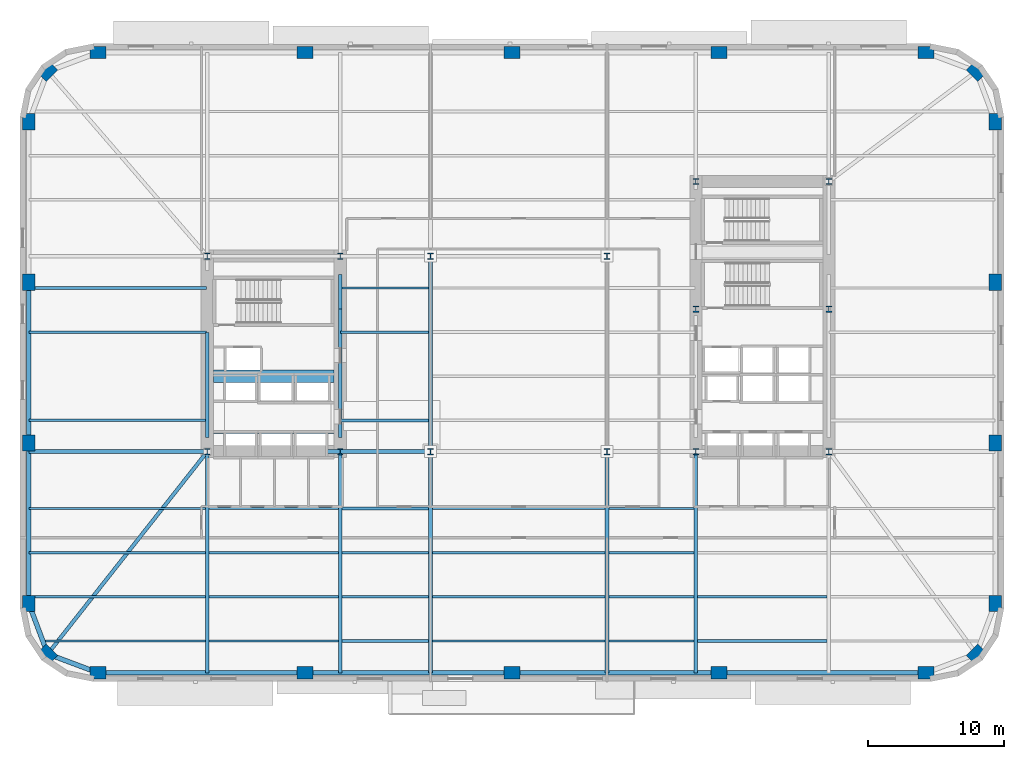
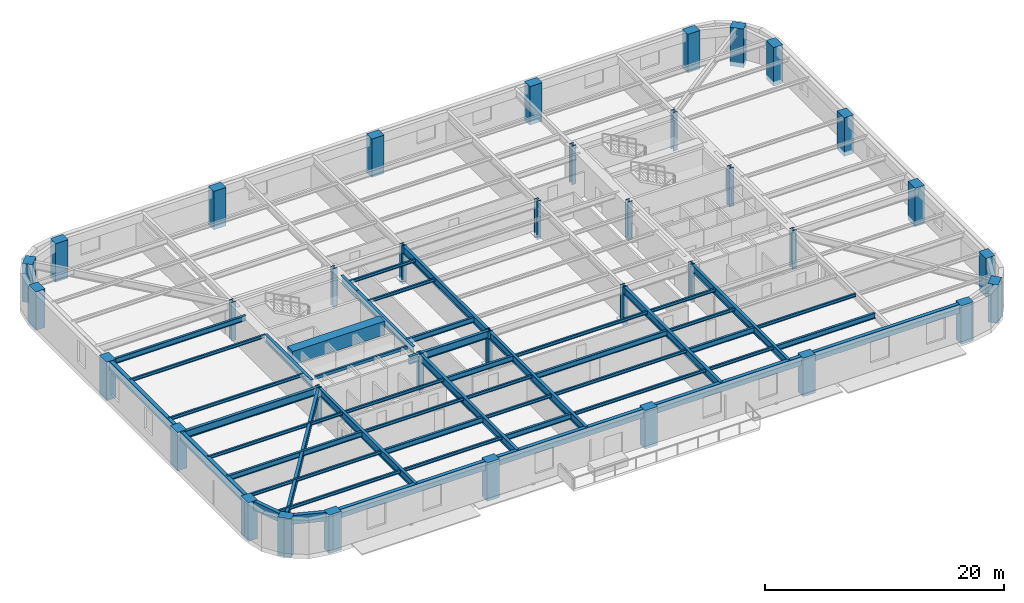
# One storey, part 1 of 15: 50 beams, 36 columns.
"""IFC4 building model written with IfcOpenShell, lengths in metres."""

from ifc_helpers import new_model, si_unit, direction, frame, origin, origin_2d, place, context, subcontext, project, spatial, rectangle, hollow_rectangle, i_section, extrude, material, material_profile, profile_set, type_object, element, save


model = new_model("IFC4")

# Units and contexts
model_context = context("Model", 3, precision=1e-05, world=origin(), true_north=direction((0.0, 1.0)))
body_context = subcontext(model_context, "Body", "Model", "MODEL_VIEW")
ifc_project = project(units=[si_unit("LENGTHUNIT", "METRE"), si_unit("AREAUNIT", "SQUARE_METRE"), si_unit("VOLUMEUNIT", "CUBIC_METRE"), si_unit("PLANEANGLEUNIT", "RADIAN"), si_unit("MASSUNIT", "GRAM", prefix="KILO")], contexts=[model_context])

# Site, building, storey
site_placement = place(None, origin())
site = spatial("IfcSite", under=ifc_project, at=site_placement, CompositionType="ELEMENT")
building_placement = place(site_placement, origin())
building = spatial("IfcBuilding", under=site, at=building_placement, Name="Kolvaren Arena Tower", CompositionType="ELEMENT")
storey_placement = place(building_placement, frame((0.0, 0.0, 42.0)))
storey = spatial("IfcBuildingStorey", under=building, at=storey_placement, Name="L07", CompositionType="ELEMENT", Elevation=42.0)

# Columns
ifc_material_1 = material(Name="Precast concrete C70/85", Category="concrete")
ifc_material_profile_1 = material_profile(ifc_material_1, rectangle(XDim=1.199951171875, YDim=0.89990234375, at=origin_2d()), Name="RC-1200x900")
ifc_profile_set_1 = profile_set([ifc_material_profile_1], Name="Precast concrete C70/85")
column_type_1 = type_object("IfcColumnType", Name="EXCOL-Z1", PredefinedType="COLUMN", material=ifc_profile_set_1)
for number, where, z_axis, x_axis, name in (
    (1, (6.5, 3.14990234375, -0.449951171875), (0.0, 0.0, 1.0), (1.0, 0.0, 0.0), "Exoskeleton Perimeter Column 01 (L07)"),
    (2, (21.75, 3.14990234375, -0.449951171875), (0.0, 0.0, 1.0), (1.0, 0.0, 0.0), "Exoskeleton Perimeter Column 02 (L07)"),
    (3, (37.0, 3.14990234375, -0.449951171875), (0.0, 0.0, 1.0), (1.0, 0.0, 0.0), "Exoskeleton Perimeter Column 03 (L07)"),
    (4, (52.25, 3.14990234375, -0.449951171875), (0.0, 0.0, 1.0), (1.0, 0.0, 0.0), "Exoskeleton Perimeter Column 04 (L07)"),
    (5, (67.5, 3.14990234375, -0.449951171875), (0.0, 0.0, 1.0), (1.0, 0.0, 0.0), "Exoskeleton Perimeter Column 05 (L07)"),
    (6, (71.208740234375, 4.541259765625, -0.449951171875), (0.0, 0.0, 1.0), (0.707106781187, 0.707106781187, 0.0), "Exoskeleton Perimeter Column 06 (L07)"),
    (7, (72.60009765625, 8.25, -0.449951171875), (0.0, 0.0, 1.0), (0.0, 1.0, 0.0), "Exoskeleton Perimeter Column 07 (L07)"),
    (8, (72.60009765625, 20.083251953125, -0.449951171875), (0.0, 0.0, 1.0), (0.0, 1.0, 0.0), "Exoskeleton Perimeter Column 08 (L07)"),
    (9, (72.60009765625, 31.916748046875, -0.449951171875), (0.0, 0.0, 1.0), (0.0, 1.0, 0.0), "Exoskeleton Perimeter Column 09 (L07)"),
    (10, (72.60009765625, 43.75, -0.449951171875), (0.0, 0.0, 1.0), (0.0, 1.0, 0.0), "Exoskeleton Perimeter Column 10 (L07)"),
    (11, (71.208740234375, 47.458740234375, -0.449951171875), (0.0, 0.0, 1.0), (-0.707106781187, 0.707106781187, 0.0), "Exoskeleton Perimeter Column 11 (L07)"),
    (12, (67.5, 48.85009765625, -0.449951171875), (0.0, 0.0, 1.0), (1.0, 0.0, 0.0), "Exoskeleton Perimeter Column 12 (L07)"),
    (13, (52.25, 48.85009765625, -0.449951171875), (0.0, 0.0, 1.0), (1.0, 0.0, 0.0), "Exoskeleton Perimeter Column 13 (L07)"),
    (14, (37.0, 48.85009765625, -0.449951171875), (0.0, 0.0, 1.0), (1.0, 0.0, 0.0), "Exoskeleton Perimeter Column 14 (L07)"),
    (15, (21.75, 48.85009765625, -0.449951171875), (0.0, 0.0, 1.0), (1.0, 0.0, 0.0), "Exoskeleton Perimeter Column 15 (L07)"),
    (16, (6.5, 48.85009765625, -0.449951171875), (0.0, 0.0, 1.0), (1.0, 0.0, 0.0), "Exoskeleton Perimeter Column 16 (L07)"),
    (17, (2.791259765625, 47.458740234375, -0.449951171875), (0.0, 0.0, 1.0), (0.707106781187, 0.707106781187, 0.0), "Exoskeleton Perimeter Column 17 (L07)"),
    (18, (1.39990234375, 43.75, -0.449951171875), (0.0, 0.0, 1.0), (0.0, 1.0, 0.0), "Exoskeleton Perimeter Column 18 (L07)"),
    (19, (1.39990234375, 31.916748046875, -0.449951171875), (0.0, 0.0, 1.0), (0.0, 1.0, 0.0), "Exoskeleton Perimeter Column 19 (L07)"),
    (20, (1.39990234375, 20.083251953125, -0.449951171875), (0.0, 0.0, 1.0), (0.0, 1.0, 0.0), "Exoskeleton Perimeter Column 20 (L07)"),
    (21, (1.39990234375, 8.25, -0.449951171875), (0.0, 0.0, 1.0), (0.0, 1.0, 0.0), "Exoskeleton Perimeter Column 21 (L07)"),
    (22, (2.791259765625, 4.541259765625, -0.449951171875), (0.0, 0.0, 1.0), (-0.707106781187, 0.707106781187, 0.0), "Exoskeleton Perimeter Column 22 (L07)"),
):
    element("IfcColumn", number, at=place(storey_placement, frame(where, z_axis=z_axis, x_axis=x_axis)), inside=storey, type_object=column_type_1, Name=name, PredefinedType="COLUMN", context=body_context, shape_type="SweptSolid", body=[
        extrude(rectangle(XDim=1.199951171875, YDim=0.89990234375, at=origin_2d()), origin(), (0.0, 0.0, 1.0), 3.929931640625),
    ])
ifc_material_2 = material(Name="Steel ASTM A913 Grade 65", Category="steel")
ifc_material_profile_2 = material_profile(ifc_material_2, i_section(OverallWidth=0.424072265625, OverallDepth=0.47412109375, WebThickness=0.047607421875, FlangeThickness=0.076904296875, FilletRadius=0.02001953125, at=origin_2d()), Name="W360x634")
ifc_profile_set_2 = profile_set([ifc_material_profile_2], Name="Steel ASTM A913 Grade 65")
column_type_2 = type_object("IfcColumnType", Name="SCOL-Z1", PredefinedType="COLUMN", material=ifc_profile_set_2)
for number, where, z_axis, x_axis, name in (
    (23, (14.550048828125, 19.449951171875, -0.449951171875), (0.0, 0.0, 1.0), (1.0, 0.0, 0.0), "Core Boundary Column WC-SW (L07)"),
    (24, (24.35009765625, 19.449951171875, -0.449951171875), (0.0, 0.0, 1.0), (1.0, 0.0, 0.0), "Core Boundary Column WC-SE (L07)"),
    (25, (14.550048828125, 33.85009765625, -0.449951171875), (0.0, 0.0, 1.0), (1.0, 0.0, 0.0), "Core Boundary Column WC-NW (L07)"),
    (26, (24.35009765625, 33.85009765625, -0.449951171875), (0.0, 0.0, 1.0), (1.0, 0.0, 0.0), "Core Boundary Column WC-NE (L07)"),
    (27, (50.550048828125, 19.449951171875, -0.449951171875), (0.0, 0.0, 1.0), (1.0, 0.0, 0.0), "Core Boundary Column EC-SW (L07)"),
    (28, (60.35009765625, 19.449951171875, -0.449951171875), (0.0, 0.0, 1.0), (1.0, 0.0, 0.0), "Core Boundary Column EC-SE (L07)"),
    (29, (50.550048828125, 29.949951171875, -0.449951171875), (0.0, 0.0, 1.0), (1.0, 0.0, 0.0), "Core Boundary Column EC-MW (L07)"),
    (30, (60.35009765625, 29.949951171875, -0.449951171875), (0.0, 0.0, 1.0), (1.0, 0.0, 0.0), "Core Boundary Column EC-ME (L07)"),
    (31, (50.550048828125, 39.35009765625, -0.449951171875), (0.0, 0.0, 1.0), (1.0, 0.0, 0.0), "Core Boundary Column EC-NW (L07)"),
    (32, (60.35009765625, 39.35009765625, -0.449951171875), (0.0, 0.0, 1.0), (1.0, 0.0, 0.0), "Core Boundary Column EC-NE (L07)"),
    (33, (31.0, 19.449951171875, -0.449951171875), (0.0, 0.0, 1.0), (1.0, 0.0, 0.0), "Interior Gravity Column TC-SW (L07)"),
    (34, (44.0, 19.449951171875, -0.449951171875), (0.0, 0.0, 1.0), (1.0, 0.0, 0.0), "Interior Gravity Column TC-SE (L07)"),
    (35, (31.0, 33.85009765625, -0.449951171875), (0.0, 0.0, 1.0), (1.0, 0.0, 0.0), "Interior Gravity Column TC-NW (L07)"),
    (36, (44.0, 33.85009765625, -0.449951171875), (0.0, 0.0, 1.0), (1.0, 0.0, 0.0), "Interior Gravity Column TC-NE (L07)"),
):
    element("IfcColumn", number, at=place(storey_placement, frame(where, z_axis=z_axis, x_axis=x_axis)), inside=storey, type_object=column_type_2, Name=name, PredefinedType="COLUMN", context=body_context, shape_type="SweptSolid", body=[
        extrude(i_section(OverallWidth=0.424072265625, OverallDepth=0.47412109375, WebThickness=0.047607421875, FlangeThickness=0.076904296875, FilletRadius=0.02001953125, at=origin_2d()), origin(), (0.0, 0.0, 1.0), 3.929931640625),
    ])

# Beams
ifc_material_3 = material(Name="Steel CSA G40.21 350W", Category="steel")
ifc_material_profile_3 = material_profile(ifc_material_3, i_section(OverallWidth=0.2119140625, OverallDepth=0.54296875, WebThickness=0.01318359375, FlangeThickness=0.0244140625, FilletRadius=0.013916015625, at=origin_2d()), Name="W530x150")
ifc_profile_set_3 = profile_set([ifc_material_profile_3], Name="Steel CSA G40.21 350W")
beam_type_1 = type_object("IfcBeamType", Name="BEAM-F1", PredefinedType="BEAM", material=ifc_profile_set_3)
beam_1_placement = place(storey_placement, frame((24.485107421875, 5.5, 3.20849609375), z_axis=(1.0, 0.0, 0.0), x_axis=(0.0, 1.0, 0.0)))
element("IfcBeam", 37, at=beam_1_placement, inside=storey, type_object=beam_type_1, Name="Composite Floor Beam (L07)", PredefinedType="BEAM", context=body_context, shape_type="SweptSolid", body=[
    extrude(i_section(OverallWidth=0.2119140625, OverallDepth=0.54296875, WebThickness=0.01318359375, FlangeThickness=0.0244140625, FilletRadius=0.013916015625, at=origin_2d()), origin(), (0.0, 0.0, 1.0), 6.3798828125),
])
for number, where, z_axis, x_axis, name in (
    (38, (50.68505859375, 5.5, 3.20849609375), (1.0, 0.0, 0.0), (0.0, 1.0, 0.0), "Composite Floor Beam (L07)"),
    (39, (14.68505859375, 8.75, 3.20849609375), (1.0, 0.0, 0.0), (0.0, 1.0, 0.0), "Composite Floor Beam (L07)"),
):
    element("IfcBeam", number, at=place(storey_placement, frame(where, z_axis=z_axis, x_axis=x_axis)), inside=storey, type_object=beam_type_1, Name=name, PredefinedType="BEAM", context=body_context, shape_type="SweptSolid", body=[
        extrude(i_section(OverallWidth=0.2119140625, OverallDepth=0.54296875, WebThickness=0.01318359375, FlangeThickness=0.0244140625, FilletRadius=0.013916015625, at=origin_2d()), origin(), (0.0, 0.0, 1.0), 9.530029296875),
    ])
beam_2_placement = place(storey_placement, frame((44.135009765625, 8.75, 3.20849609375), z_axis=(1.0, 0.0, 0.0), x_axis=(0.0, 1.0, 0.0)))
element("IfcBeam", 40, at=beam_2_placement, inside=storey, type_object=beam_type_1, Name="Composite Floor Beam (L07)", PredefinedType="BEAM", context=body_context, shape_type="SweptSolid", body=[
    extrude(i_section(OverallWidth=0.2119140625, OverallDepth=0.54296875, WebThickness=0.01318359375, FlangeThickness=0.0244140625, FilletRadius=0.013916015625, at=origin_2d()), origin(), (0.0, 0.0, 1.0), 6.280029296875),
])
beam_3_placement = place(storey_placement, frame((1.39990234375, 12.0, 3.20849609375), z_axis=(1.0, 0.0, 0.0), x_axis=(0.0, 1.0, 0.0)))
element("IfcBeam", 41, at=beam_3_placement, inside=storey, type_object=beam_type_1, Name="Composite Floor Beam (L07)", PredefinedType="BEAM", context=body_context, shape_type="SweptSolid", body=[
    extrude(i_section(OverallWidth=0.2119140625, OverallDepth=0.54296875, WebThickness=0.01318359375, FlangeThickness=0.0244140625, FilletRadius=0.013916015625, at=origin_2d()), origin(), (0.0, 0.0, 1.0), 13.01513671875),
])
beam_4_placement = place(storey_placement, frame((31.135009765625, 12.0, 3.20849609375), z_axis=(1.0, 0.0, 0.0), x_axis=(0.0, 1.0, 0.0)))
element("IfcBeam", 42, at=beam_4_placement, inside=storey, type_object=beam_type_1, Name="Composite Floor Beam (L07)", PredefinedType="BEAM", context=body_context, shape_type="SweptSolid", body=[
    extrude(i_section(OverallWidth=0.2119140625, OverallDepth=0.54296875, WebThickness=0.01318359375, FlangeThickness=0.0244140625, FilletRadius=0.013916015625, at=origin_2d()), origin(), (0.0, 0.0, 1.0), 12.72998046875),
])
beam_5_placement = place(storey_placement, frame((24.485107421875, 15.25, 3.20849609375), z_axis=(1.0, 0.0, 0.0), x_axis=(0.0, 1.0, 0.0)))
element("IfcBeam", 43, at=beam_5_placement, inside=storey, type_object=beam_type_1, Name="Composite Floor Beam (L07)", PredefinedType="BEAM", context=body_context, shape_type="SweptSolid", body=[
    extrude(i_section(OverallWidth=0.2119140625, OverallDepth=0.54296875, WebThickness=0.01318359375, FlangeThickness=0.0244140625, FilletRadius=0.013916015625, at=origin_2d()), origin(), (0.0, 0.0, 1.0), 6.3798828125),
])
beam_6_placement = place(storey_placement, frame((24.3701171875, 21.75, 3.20849609375), z_axis=(1.0, 0.0, 0.0), x_axis=(0.0, 1.0, 0.0)))
element("IfcBeam", 44, at=beam_6_placement, inside=storey, type_object=beam_type_1, Name="Composite Floor Beam (L07)", PredefinedType="BEAM", context=body_context, shape_type="SweptSolid", body=[
    extrude(i_section(OverallWidth=0.2119140625, OverallDepth=0.54296875, WebThickness=0.01318359375, FlangeThickness=0.0244140625, FilletRadius=0.013916015625, at=origin_2d()), origin(), (0.0, 0.0, 1.0), 6.494873046875),
])
beam_7_placement = place(storey_placement, frame((1.39990234375, 31.5, 3.20849609375), z_axis=(1.0, 0.0, 0.0), x_axis=(0.0, 1.0, 0.0)))
element("IfcBeam", 45, at=beam_7_placement, inside=storey, type_object=beam_type_1, Name="Composite Floor Beam (L07)", PredefinedType="BEAM", context=body_context, shape_type="SweptSolid", body=[
    extrude(i_section(OverallWidth=0.2119140625, OverallDepth=0.54296875, WebThickness=0.01318359375, FlangeThickness=0.0244140625, FilletRadius=0.013916015625, at=origin_2d()), origin(), (0.0, 0.0, 1.0), 13.080078125),
])
ifc_material_4 = material(Name="Concrete 75 MPa", Category="concrete")
ifc_material_profile_4 = material_profile(ifc_material_4, rectangle(XDim=0.89990234375, YDim=1.39990234375, at=origin_2d()), Name="RC-900x1400")
ifc_profile_set_4 = profile_set([ifc_material_profile_4], Name="Concrete 75 MPa")
beam_type_2 = type_object("IfcBeamType", Name="CB-CORE-1", PredefinedType="BEAM", material=ifc_profile_set_4)
beam_8_placement = place(storey_placement, frame((15.0, 25.0, 3.050048828125), z_axis=(1.0, 0.0, 0.0), x_axis=(0.0, 1.0, 0.0)))
element("IfcBeam", 46, at=beam_8_placement, inside=storey, type_object=beam_type_2, Name="West Core Coupling Beam (L07)", PredefinedType="BEAM", context=body_context, shape_type="SweptSolid", body=[
    extrude(rectangle(XDim=0.89990234375, YDim=1.39990234375, at=origin_2d()), origin(), (0.0, 0.0, 1.0), 8.89990234375),
])
ifc_material_profile_5 = material_profile(ifc_material_3, i_section(OverallWidth=0.27001953125, OverallDepth=0.77294921875, WebThickness=0.019287109375, FlangeThickness=0.033447265625, FilletRadius=0.01806640625, at=origin_2d()), Name="W760x257")
ifc_profile_set_5 = profile_set([ifc_material_profile_5], Name="Steel CSA G40.21 350W")
beam_type_3 = type_object("IfcBeamType", Name="GIRD-T1", PredefinedType="BEAM", material=ifc_profile_set_5)
beam_9_placement = place(storey_placement, frame((2.791259765625, 4.541259765625, 3.093505859375), z_axis=(0.61927986086, 0.785170334343, 0.0), x_axis=(-0.785170334343, 0.61927986086, 0.0)))
element("IfcBeam", 47, at=beam_9_placement, inside=storey, type_object=beam_type_3, Name="Corner Diagonal Tie Girder (L07)", PredefinedType="BEAM", context=body_context, shape_type="SweptSolid", body=[
    extrude(i_section(OverallWidth=0.27001953125, OverallDepth=0.77294921875, WebThickness=0.019287109375, FlangeThickness=0.033447265625, FilletRadius=0.01806640625, at=origin_2d()), origin(), (0.0, 0.0, 1.0), 18.98779296875),
])
beam_10_placement = place(storey_placement, frame((1.39990234375, 19.449951171875, 3.093505859375), z_axis=(1.0, 0.0, 0.0), x_axis=(0.0, 1.0, 0.0)))
element("IfcBeam", 48, at=beam_10_placement, inside=storey, type_object=beam_type_3, Name="Primary Floor Girder (L07)", PredefinedType="BEAM", context=body_context, shape_type="SweptSolid", body=[
    extrude(i_section(OverallWidth=0.27001953125, OverallDepth=0.77294921875, WebThickness=0.019287109375, FlangeThickness=0.033447265625, FilletRadius=0.01806640625, at=origin_2d()), origin(), (0.0, 0.0, 1.0), 13.150146484375),
])
beam_11_placement = place(storey_placement, frame((23.2451171875, 19.449951171875, 3.093505859375), z_axis=(1.0, 0.0, 0.0), x_axis=(0.0, 1.0, 0.0)))
element("IfcBeam", 49, at=beam_11_placement, inside=storey, type_object=beam_type_3, Name="Primary Floor Girder (L07)", PredefinedType="BEAM", context=body_context, shape_type="SweptSolid", body=[
    extrude(i_section(OverallWidth=0.27001953125, OverallDepth=0.77294921875, WebThickness=0.019287109375, FlangeThickness=0.033447265625, FilletRadius=0.01806640625, at=origin_2d()), origin(), (0.0, 0.0, 1.0), 7.7548828125),
])
beam_12_placement = place(storey_placement, frame((14.550048828125, 3.14990234375, 3.093505859375), z_axis=(0.0, 1.0, 0.0), x_axis=(-1.0, 0.0, 0.0)))
element("IfcBeam", 50, at=beam_12_placement, inside=storey, type_object=beam_type_3, Name="Primary Floor Girder (L07)", PredefinedType="BEAM", context=body_context, shape_type="SweptSolid", body=[
    extrude(i_section(OverallWidth=0.27001953125, OverallDepth=0.77294921875, WebThickness=0.019287109375, FlangeThickness=0.033447265625, FilletRadius=0.01806640625, at=origin_2d()), origin(), (0.0, 0.0, 1.0), 16.300048828125),
])
beam_13_placement = place(storey_placement, frame((14.550048828125, 20.5, 3.093505859375), z_axis=(0.0, 1.0, 0.0), x_axis=(-1.0, 0.0, 0.0)))
element("IfcBeam", 51, at=beam_13_placement, inside=storey, type_object=beam_type_3, Name="Primary Floor Girder (L07)", PredefinedType="BEAM", context=body_context, shape_type="SweptSolid", body=[
    extrude(i_section(OverallWidth=0.27001953125, OverallDepth=0.77294921875, WebThickness=0.019287109375, FlangeThickness=0.033447265625, FilletRadius=0.01806640625, at=origin_2d()), origin(), (0.0, 0.0, 1.0), 7.739990234375),
])
beam_14_placement = place(storey_placement, frame((24.35009765625, 3.14990234375, 3.093505859375), z_axis=(0.0, 1.0, 0.0), x_axis=(-1.0, 0.0, 0.0)))
element("IfcBeam", 52, at=beam_14_placement, inside=storey, type_object=beam_type_3, Name="Primary Floor Girder (L07)", PredefinedType="BEAM", context=body_context, shape_type="SweptSolid", body=[
    extrude(i_section(OverallWidth=0.27001953125, OverallDepth=0.77294921875, WebThickness=0.019287109375, FlangeThickness=0.033447265625, FilletRadius=0.01806640625, at=origin_2d()), origin(), (0.0, 0.0, 1.0), 16.300048828125),
])
beam_15_placement = place(storey_placement, frame((24.35009765625, 20.5, 3.093505859375), z_axis=(0.0, 1.0, 0.0), x_axis=(-1.0, 0.0, 0.0)))
element("IfcBeam", 53, at=beam_15_placement, inside=storey, type_object=beam_type_3, Name="Primary Floor Girder (L07)", PredefinedType="BEAM", context=body_context, shape_type="SweptSolid", body=[
    extrude(i_section(OverallWidth=0.27001953125, OverallDepth=0.77294921875, WebThickness=0.019287109375, FlangeThickness=0.033447265625, FilletRadius=0.01806640625, at=origin_2d()), origin(), (0.0, 0.0, 1.0), 9.449951171875),
])
beam_16_placement = place(storey_placement, frame((24.35009765625, 29.949951171875, 3.093505859375), z_axis=(0.0, 1.0, 0.0), x_axis=(-1.0, 0.0, 0.0)))
element("IfcBeam", 54, at=beam_16_placement, inside=storey, type_object=beam_type_3, Name="Primary Floor Girder (L07)", PredefinedType="BEAM", context=body_context, shape_type="SweptSolid", body=[
    extrude(i_section(OverallWidth=0.27001953125, OverallDepth=0.77294921875, WebThickness=0.019287109375, FlangeThickness=0.033447265625, FilletRadius=0.01806640625, at=origin_2d()), origin(), (0.0, 0.0, 1.0), 2.550048828125),
])
beam_17_placement = place(storey_placement, frame((31.0, 3.14990234375, 3.093505859375), z_axis=(0.0, 1.0, 0.0), x_axis=(-1.0, 0.0, 0.0)))
element("IfcBeam", 55, at=beam_17_placement, inside=storey, type_object=beam_type_3, Name="Primary Floor Girder (L07)", PredefinedType="BEAM", context=body_context, shape_type="SweptSolid", body=[
    extrude(i_section(OverallWidth=0.27001953125, OverallDepth=0.77294921875, WebThickness=0.019287109375, FlangeThickness=0.033447265625, FilletRadius=0.01806640625, at=origin_2d()), origin(), (0.0, 0.0, 1.0), 16.300048828125),
])
beam_18_placement = place(storey_placement, frame((31.0, 19.449951171875, 3.093505859375), z_axis=(0.0, 1.0, 0.0), x_axis=(-1.0, 0.0, 0.0)))
element("IfcBeam", 56, at=beam_18_placement, inside=storey, type_object=beam_type_3, Name="Primary Floor Girder (L07)", PredefinedType="BEAM", context=body_context, shape_type="SweptSolid", body=[
    extrude(i_section(OverallWidth=0.27001953125, OverallDepth=0.77294921875, WebThickness=0.019287109375, FlangeThickness=0.033447265625, FilletRadius=0.01806640625, at=origin_2d()), origin(), (0.0, 0.0, 1.0), 14.400146484375),
])
for number, where, z_axis, x_axis, name in (
    (57, (44.0, 3.14990234375, 3.093505859375), (0.0, 1.0, 0.0), (-1.0, 0.0, 0.0), "Primary Floor Girder (L07)"),
    (58, (50.550048828125, 3.14990234375, 3.093505859375), (0.0, 1.0, 0.0), (-1.0, 0.0, 0.0), "Primary Floor Girder (L07)"),
):
    element("IfcBeam", number, at=place(storey_placement, frame(where, z_axis=z_axis, x_axis=x_axis)), inside=storey, type_object=beam_type_3, Name=name, PredefinedType="BEAM", context=body_context, shape_type="SweptSolid", body=[
        extrude(i_section(OverallWidth=0.27001953125, OverallDepth=0.77294921875, WebThickness=0.019287109375, FlangeThickness=0.033447265625, FilletRadius=0.01806640625, at=origin_2d()), origin(), (0.0, 0.0, 1.0), 16.300048828125),
    ])
ifc_material_profile_6 = material_profile(ifc_material_3, i_section(OverallWidth=0.1669921875, OverallDepth=0.31689453125, WebThickness=0.007568359375, FlangeThickness=0.01318359375, FilletRadius=0.010009765625, at=origin_2d()), Name="W310x52")
ifc_profile_set_6 = profile_set([ifc_material_profile_6], Name="Steel CSA G40.21 350W")
beam_type_4 = type_object("IfcBeamType", Name="JOIST-02", PredefinedType="JOIST", material=ifc_profile_set_6)
beam_19_placement = place(storey_placement, frame((2.431396484375, 5.5, 3.321533203125), z_axis=(1.0, 0.0, 0.0), x_axis=(0.0, 1.0, 0.0)))
element("IfcBeam", 59, at=beam_19_placement, inside=storey, type_object=beam_type_4, Name="Composite Floor Joist (L07)", PredefinedType="JOIST", context=body_context, shape_type="SweptSolid", body=[
    extrude(i_section(OverallWidth=0.1669921875, OverallDepth=0.31689453125, WebThickness=0.007568359375, FlangeThickness=0.01318359375, FilletRadius=0.010009765625, at=origin_2d()), origin(), (0.0, 0.0, 1.0), 11.983642578125),
])
beam_20_placement = place(storey_placement, frame((14.68505859375, 5.5, 3.321533203125), z_axis=(1.0, 0.0, 0.0), x_axis=(0.0, 1.0, 0.0)))
element("IfcBeam", 60, at=beam_20_placement, inside=storey, type_object=beam_type_4, Name="Composite Floor Joist (L07)", PredefinedType="JOIST", context=body_context, shape_type="SweptSolid", body=[
    extrude(i_section(OverallWidth=0.1669921875, OverallDepth=0.31689453125, WebThickness=0.007568359375, FlangeThickness=0.01318359375, FilletRadius=0.010009765625, at=origin_2d()), origin(), (0.0, 0.0, 1.0), 9.530029296875),
])
beam_21_placement = place(storey_placement, frame((31.135009765625, 5.5, 3.321533203125), z_axis=(1.0, 0.0, 0.0), x_axis=(0.0, 1.0, 0.0)))
element("IfcBeam", 61, at=beam_21_placement, inside=storey, type_object=beam_type_4, Name="Composite Floor Joist (L07)", PredefinedType="JOIST", context=body_context, shape_type="SweptSolid", body=[
    extrude(i_section(OverallWidth=0.1669921875, OverallDepth=0.31689453125, WebThickness=0.007568359375, FlangeThickness=0.01318359375, FilletRadius=0.010009765625, at=origin_2d()), origin(), (0.0, 0.0, 1.0), 12.72998046875),
])
beam_22_placement = place(storey_placement, frame((44.135009765625, 5.5, 3.321533203125), z_axis=(1.0, 0.0, 0.0), x_axis=(0.0, 1.0, 0.0)))
element("IfcBeam", 62, at=beam_22_placement, inside=storey, type_object=beam_type_4, Name="Composite Floor Joist (L07)", PredefinedType="JOIST", context=body_context, shape_type="SweptSolid", body=[
    extrude(i_section(OverallWidth=0.1669921875, OverallDepth=0.31689453125, WebThickness=0.007568359375, FlangeThickness=0.01318359375, FilletRadius=0.010009765625, at=origin_2d()), origin(), (0.0, 0.0, 1.0), 6.280029296875),
])
beam_23_placement = place(storey_placement, frame((1.39990234375, 8.75, 3.321533203125), z_axis=(1.0, 0.0, 0.0), x_axis=(0.0, 1.0, 0.0)))
element("IfcBeam", 63, at=beam_23_placement, inside=storey, type_object=beam_type_4, Name="Composite Floor Joist (L07)", PredefinedType="JOIST", context=body_context, shape_type="SweptSolid", body=[
    extrude(i_section(OverallWidth=0.1669921875, OverallDepth=0.31689453125, WebThickness=0.007568359375, FlangeThickness=0.01318359375, FilletRadius=0.010009765625, at=origin_2d()), origin(), (0.0, 0.0, 1.0), 13.01513671875),
])
beam_24_placement = place(storey_placement, frame((24.485107421875, 8.75, 3.321533203125), z_axis=(1.0, 0.0, 0.0), x_axis=(0.0, 1.0, 0.0)))
element("IfcBeam", 64, at=beam_24_placement, inside=storey, type_object=beam_type_4, Name="Composite Floor Joist (L07)", PredefinedType="JOIST", context=body_context, shape_type="SweptSolid", body=[
    extrude(i_section(OverallWidth=0.1669921875, OverallDepth=0.31689453125, WebThickness=0.007568359375, FlangeThickness=0.01318359375, FilletRadius=0.010009765625, at=origin_2d()), origin(), (0.0, 0.0, 1.0), 6.3798828125),
])
beam_25_placement = place(storey_placement, frame((31.135009765625, 8.75, 3.321533203125), z_axis=(1.0, 0.0, 0.0), x_axis=(0.0, 1.0, 0.0)))
element("IfcBeam", 65, at=beam_25_placement, inside=storey, type_object=beam_type_4, Name="Composite Floor Joist (L07)", PredefinedType="JOIST", context=body_context, shape_type="SweptSolid", body=[
    extrude(i_section(OverallWidth=0.1669921875, OverallDepth=0.31689453125, WebThickness=0.007568359375, FlangeThickness=0.01318359375, FilletRadius=0.010009765625, at=origin_2d()), origin(), (0.0, 0.0, 1.0), 12.72998046875),
])
for number, where, z_axis, x_axis, name in (
    (66, (50.68505859375, 8.75, 3.321533203125), (1.0, 0.0, 0.0), (0.0, 1.0, 0.0), "Composite Floor Joist (L07)"),
    (67, (14.68505859375, 12.0, 3.321533203125), (1.0, 0.0, 0.0), (0.0, 1.0, 0.0), "Composite Floor Joist (L07)"),
):
    element("IfcBeam", number, at=place(storey_placement, frame(where, z_axis=z_axis, x_axis=x_axis)), inside=storey, type_object=beam_type_4, Name=name, PredefinedType="JOIST", context=body_context, shape_type="SweptSolid", body=[
        extrude(i_section(OverallWidth=0.1669921875, OverallDepth=0.31689453125, WebThickness=0.007568359375, FlangeThickness=0.01318359375, FilletRadius=0.010009765625, at=origin_2d()), origin(), (0.0, 0.0, 1.0), 9.530029296875),
    ])
beam_26_placement = place(storey_placement, frame((24.485107421875, 12.0, 3.321533203125), z_axis=(1.0, 0.0, 0.0), x_axis=(0.0, 1.0, 0.0)))
element("IfcBeam", 68, at=beam_26_placement, inside=storey, type_object=beam_type_4, Name="Composite Floor Joist (L07)", PredefinedType="JOIST", context=body_context, shape_type="SweptSolid", body=[
    extrude(i_section(OverallWidth=0.1669921875, OverallDepth=0.31689453125, WebThickness=0.007568359375, FlangeThickness=0.01318359375, FilletRadius=0.010009765625, at=origin_2d()), origin(), (0.0, 0.0, 1.0), 6.3798828125),
])
beam_27_placement = place(storey_placement, frame((44.135009765625, 12.0, 3.321533203125), z_axis=(1.0, 0.0, 0.0), x_axis=(0.0, 1.0, 0.0)))
element("IfcBeam", 69, at=beam_27_placement, inside=storey, type_object=beam_type_4, Name="Composite Floor Joist (L07)", PredefinedType="JOIST", context=body_context, shape_type="SweptSolid", body=[
    extrude(i_section(OverallWidth=0.1669921875, OverallDepth=0.31689453125, WebThickness=0.007568359375, FlangeThickness=0.01318359375, FilletRadius=0.010009765625, at=origin_2d()), origin(), (0.0, 0.0, 1.0), 6.280029296875),
])
beam_28_placement = place(storey_placement, frame((1.39990234375, 15.25, 3.321533203125), z_axis=(1.0, 0.0, 0.0), x_axis=(0.0, 1.0, 0.0)))
element("IfcBeam", 70, at=beam_28_placement, inside=storey, type_object=beam_type_4, Name="Composite Floor Joist (L07)", PredefinedType="JOIST", context=body_context, shape_type="SweptSolid", body=[
    extrude(i_section(OverallWidth=0.1669921875, OverallDepth=0.31689453125, WebThickness=0.007568359375, FlangeThickness=0.01318359375, FilletRadius=0.010009765625, at=origin_2d()), origin(), (0.0, 0.0, 1.0), 13.01513671875),
])
beam_29_placement = place(storey_placement, frame((14.68505859375, 15.25, 3.321533203125), z_axis=(1.0, 0.0, 0.0), x_axis=(0.0, 1.0, 0.0)))
element("IfcBeam", 71, at=beam_29_placement, inside=storey, type_object=beam_type_4, Name="Composite Floor Joist (L07)", PredefinedType="JOIST", context=body_context, shape_type="SweptSolid", body=[
    extrude(i_section(OverallWidth=0.1669921875, OverallDepth=0.31689453125, WebThickness=0.007568359375, FlangeThickness=0.01318359375, FilletRadius=0.010009765625, at=origin_2d()), origin(), (0.0, 0.0, 1.0), 9.530029296875),
])
beam_30_placement = place(storey_placement, frame((31.135009765625, 15.25, 3.321533203125), z_axis=(1.0, 0.0, 0.0), x_axis=(0.0, 1.0, 0.0)))
element("IfcBeam", 72, at=beam_30_placement, inside=storey, type_object=beam_type_4, Name="Composite Floor Joist (L07)", PredefinedType="JOIST", context=body_context, shape_type="SweptSolid", body=[
    extrude(i_section(OverallWidth=0.1669921875, OverallDepth=0.31689453125, WebThickness=0.007568359375, FlangeThickness=0.01318359375, FilletRadius=0.010009765625, at=origin_2d()), origin(), (0.0, 0.0, 1.0), 12.72998046875),
])
beam_31_placement = place(storey_placement, frame((44.135009765625, 15.25, 3.321533203125), z_axis=(1.0, 0.0, 0.0), x_axis=(0.0, 1.0, 0.0)))
element("IfcBeam", 73, at=beam_31_placement, inside=storey, type_object=beam_type_4, Name="Composite Floor Joist (L07)", PredefinedType="JOIST", context=body_context, shape_type="SweptSolid", body=[
    extrude(i_section(OverallWidth=0.1669921875, OverallDepth=0.31689453125, WebThickness=0.007568359375, FlangeThickness=0.01318359375, FilletRadius=0.010009765625, at=origin_2d()), origin(), (0.0, 0.0, 1.0), 6.280029296875),
])
beam_32_placement = place(storey_placement, frame((1.39990234375, 21.75, 3.321533203125), z_axis=(1.0, 0.0, 0.0), x_axis=(0.0, 1.0, 0.0)))
element("IfcBeam", 74, at=beam_32_placement, inside=storey, type_object=beam_type_4, Name="Composite Floor Joist (L07)", PredefinedType="JOIST", context=body_context, shape_type="SweptSolid", body=[
    extrude(i_section(OverallWidth=0.1669921875, OverallDepth=0.31689453125, WebThickness=0.007568359375, FlangeThickness=0.01318359375, FilletRadius=0.010009765625, at=origin_2d()), origin(), (0.0, 0.0, 1.0), 13.130126953125),
])
beam_33_placement = place(storey_placement, frame((1.39990234375, 28.25, 3.321533203125), z_axis=(1.0, 0.0, 0.0), x_axis=(0.0, 1.0, 0.0)))
element("IfcBeam", 75, at=beam_33_placement, inside=storey, type_object=beam_type_4, Name="Composite Floor Joist (L07)", PredefinedType="JOIST", context=body_context, shape_type="SweptSolid", body=[
    extrude(i_section(OverallWidth=0.1669921875, OverallDepth=0.31689453125, WebThickness=0.007568359375, FlangeThickness=0.01318359375, FilletRadius=0.010009765625, at=origin_2d()), origin(), (0.0, 0.0, 1.0), 13.080078125),
])
for number, where, z_axis, x_axis, name in (
    (76, (24.3701171875, 28.25, 3.321533203125), (1.0, 0.0, 0.0), (0.0, 1.0, 0.0), "Composite Floor Joist (L07)"),
    (77, (24.3701171875, 31.5, 3.321533203125), (1.0, 0.0, 0.0), (0.0, 1.0, 0.0), "Composite Floor Joist (L07)"),
):
    element("IfcBeam", number, at=place(storey_placement, frame(where, z_axis=z_axis, x_axis=x_axis)), inside=storey, type_object=beam_type_4, Name=name, PredefinedType="JOIST", context=body_context, shape_type="SweptSolid", body=[
        extrude(i_section(OverallWidth=0.1669921875, OverallDepth=0.31689453125, WebThickness=0.007568359375, FlangeThickness=0.01318359375, FilletRadius=0.010009765625, at=origin_2d()), origin(), (0.0, 0.0, 1.0), 6.494873046875),
    ])
ifc_material_profile_7 = material_profile(ifc_material_3, hollow_rectangle(XDim=0.199951171875, YDim=0.300048828125, WallThickness=0.011962890625, at=origin_2d()), Name="HSS 300x200x12")
ifc_profile_set_7 = profile_set([ifc_material_profile_7], Name="Steel CSA G40.21 350W")
beam_type_5 = type_object("IfcBeamType", Name="LINT-01", PredefinedType="LINTEL", material=ifc_profile_set_7)
beam_34_placement = place(storey_placement, frame((15.0, 20.8798828125, 3.330078125), z_axis=(1.0, 0.0, 0.0), x_axis=(0.0, 1.0, 0.0)))
element("IfcBeam", 78, at=beam_34_placement, inside=storey, type_object=beam_type_5, Name="West Lift Lobby Portal Lintel (L07)", PredefinedType="LINTEL", context=body_context, shape_type="SweptSolid", body=[
    extrude(hollow_rectangle(XDim=0.199951171875, YDim=0.300048828125, WallThickness=0.011962890625, at=origin_2d()), origin(), (0.0, 0.0, 1.0), 8.89990234375),
])
ifc_material_5 = material(Name="Steel CSA G40.21 350WT", Category="steel")
ifc_material_profile_8 = material_profile(ifc_material_5, hollow_rectangle(XDim=0.35009765625, YDim=0.89990234375, WallThickness=0.02001953125, at=origin_2d()), Name="HSS 900x350x20")
ifc_profile_set_8 = profile_set([ifc_material_profile_8], Name="Steel CSA G40.21 350WT")
beam_type_6 = type_object("IfcBeamType", Name="SPAND-01", PredefinedType="SPANDREL", material=ifc_profile_set_8)
for number, where, z_axis, x_axis, name in (
    (79, (6.5, 3.14990234375, 3.030029296875), (1.0, 0.0, 0.0), (0.0, 1.0, 0.0), "Perimeter Spandrel Beam (L07)"),
    (80, (21.75, 3.14990234375, 3.030029296875), (1.0, 0.0, 0.0), (0.0, 1.0, 0.0), "Perimeter Spandrel Beam (L07)"),
    (81, (37.0, 3.14990234375, 3.030029296875), (1.0, 0.0, 0.0), (0.0, 1.0, 0.0), "Perimeter Spandrel Beam (L07)"),
    (82, (52.25, 3.14990234375, 3.030029296875), (1.0, 0.0, 0.0), (0.0, 1.0, 0.0), "Perimeter Spandrel Beam (L07)"),
):
    element("IfcBeam", number, at=place(storey_placement, frame(where, z_axis=z_axis, x_axis=x_axis)), inside=storey, type_object=beam_type_6, Name=name, PredefinedType="SPANDREL", context=body_context, shape_type="SweptSolid", body=[
        extrude(hollow_rectangle(XDim=0.35009765625, YDim=0.89990234375, WallThickness=0.02001953125, at=origin_2d()), origin(), (0.0, 0.0, 1.0), 15.25),
    ])
beam_35_placement = place(storey_placement, frame((1.39990234375, 31.916748046875, 3.030029296875), z_axis=(0.0, -1.0, 0.0), x_axis=(1.0, 0.0, 0.0)))
element("IfcBeam", 83, at=beam_35_placement, inside=storey, type_object=beam_type_6, Name="Perimeter Spandrel Beam (L07)", PredefinedType="SPANDREL", context=body_context, shape_type="SweptSolid", body=[
    extrude(hollow_rectangle(XDim=0.35009765625, YDim=0.89990234375, WallThickness=0.02001953125, at=origin_2d()), origin(), (0.0, 0.0, 1.0), 11.83349609375),
])
beam_36_placement = place(storey_placement, frame((1.39990234375, 20.083251953125, 3.030029296875), z_axis=(0.0, -1.0, 0.0), x_axis=(1.0, 0.0, 0.0)))
element("IfcBeam", 84, at=beam_36_placement, inside=storey, type_object=beam_type_6, Name="Perimeter Spandrel Beam (L07)", PredefinedType="SPANDREL", context=body_context, shape_type="SweptSolid", body=[
    extrude(hollow_rectangle(XDim=0.35009765625, YDim=0.89990234375, WallThickness=0.02001953125, at=origin_2d()), origin(), (0.0, 0.0, 1.0), 11.833251953125),
])
for number, where, z_axis, x_axis, name in (
    (85, (1.39990234375, 8.25, 3.030029296875), (0.351251771955, -0.93628104365, 0.0), (0.93628104365, 0.351251771955, 0.0), "Perimeter Spandrel Beam (L07)"),
    (86, (2.791259765625, 4.541259765625, 3.030029296875), (0.93628104365, -0.351251771955, 0.0), (0.351251771955, 0.93628104365, 0.0), "Perimeter Spandrel Beam (L07)"),
):
    element("IfcBeam", number, at=place(storey_placement, frame(where, z_axis=z_axis, x_axis=x_axis)), inside=storey, type_object=beam_type_6, Name=name, PredefinedType="SPANDREL", context=body_context, shape_type="SweptSolid", body=[
        extrude(hollow_rectangle(XDim=0.35009765625, YDim=0.89990234375, WallThickness=0.02001953125, at=origin_2d()), origin(), (0.0, 0.0, 1.0), 3.961181640625),
    ])

save(model, "model.ifc")
